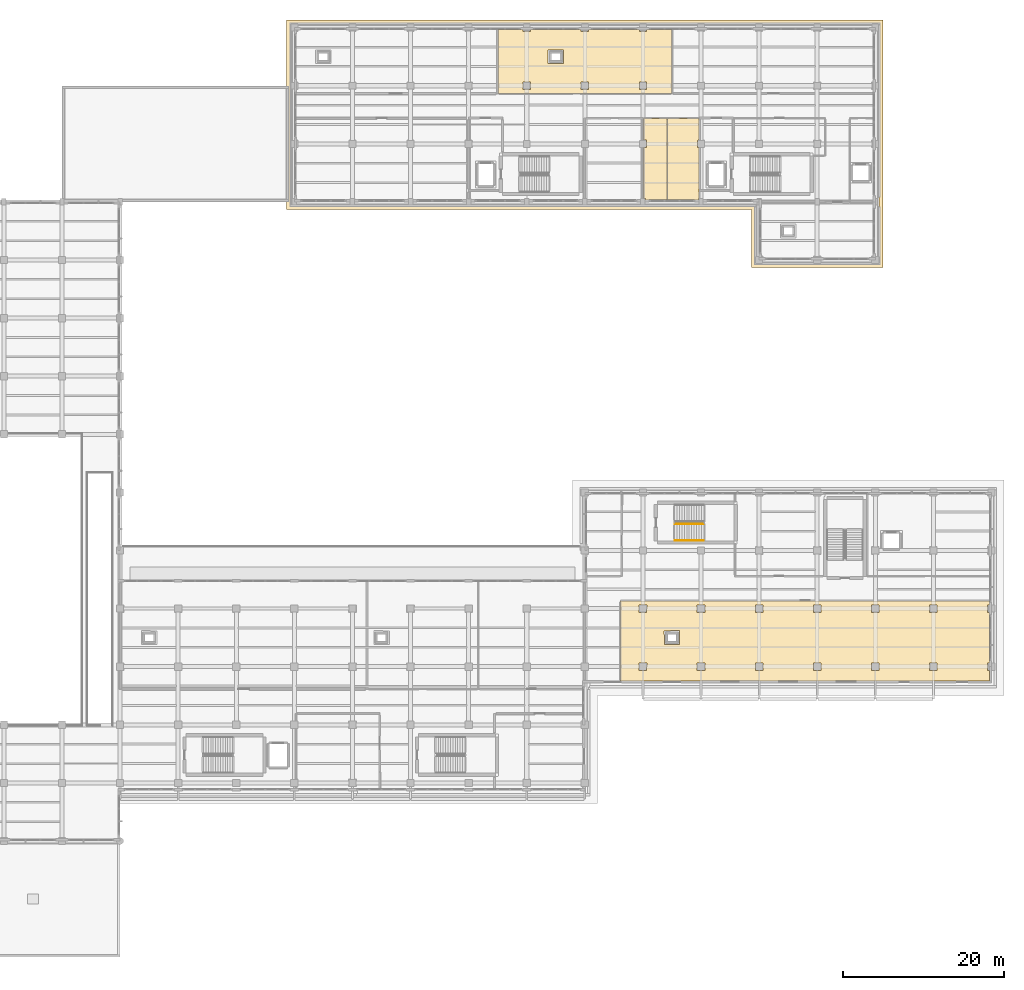
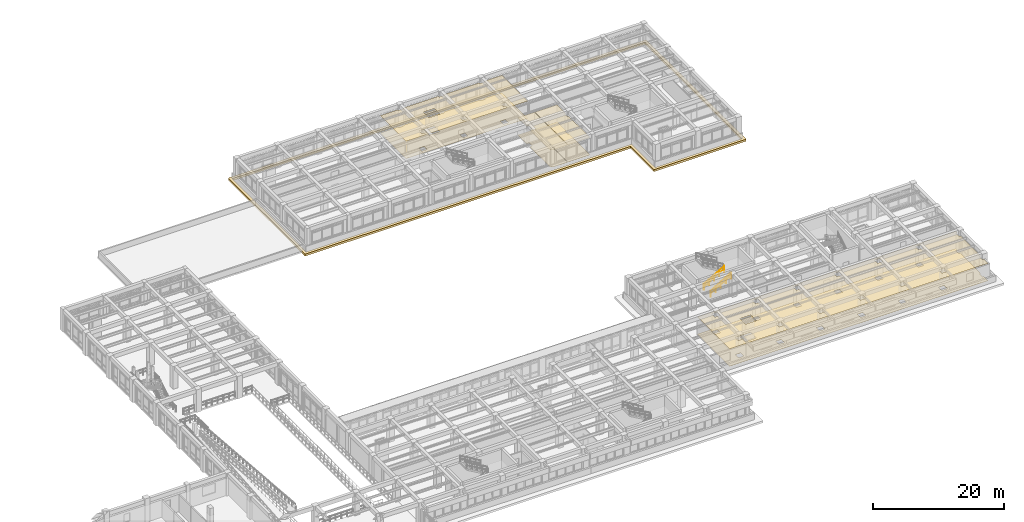
# One storey, part 67 of 69: 9 coverings, 2 railings.
"""IFC4 building model written with IfcOpenShell, lengths in metres."""

from ifc_helpers import new_model, si_unit, direction, frame, origin, origin_2d, place, context, subcontext, project, spatial, polyline, circle, outline, extrude, material, layer, layer_set, type_object, element, save


model = new_model("IFC4")

# Units and contexts
model_context = context("Model", 3, precision=1e-05, world=origin(), true_north=direction((0.0, 1.0)))
body_context = subcontext(model_context, "Body", "Model", "MODEL_VIEW")
ifc_project = project(units=[si_unit("LENGTHUNIT", "METRE"), si_unit("AREAUNIT", "SQUARE_METRE"), si_unit("VOLUMEUNIT", "CUBIC_METRE"), si_unit("PLANEANGLEUNIT", "RADIAN"), si_unit("MASSUNIT", "GRAM", prefix="KILO")], contexts=[model_context])

# Site, building, storey
site_placement = place(None, origin())
site = spatial("IfcSite", under=ifc_project, at=site_placement, CompositionType="ELEMENT")
building_placement = place(site_placement, origin())
building = spatial("IfcBuilding", under=site, at=building_placement, Name="Solenvale Faculty of Natural Sciences", CompositionType="ELEMENT")
storey_placement = place(building_placement, frame((0.0, 0.0, 4.5)))
storey = spatial("IfcBuildingStorey", under=building, at=storey_placement, Name="L01", CompositionType="ELEMENT", Elevation=4.5)

# Coverings
ifc_material_1 = material(Name="Acoustic mineral-timber ceiling", Category="wood")
ifc_layer_1 = layer(ifc_material_1, 0.02490234375)
ifc_layer_set_1 = layer_set([ifc_layer_1], Name="Acoustic mineral-timber ceiling")
covering_type_1 = type_object("IfcCoveringType", Name="COV-CEIL-AC25", PredefinedType="CEILING", material=ifc_layer_set_1)
covering_1_placement = place(storey_placement, frame((0.0, 0.0, 3.235107421875)))
element("IfcCovering", 1, at=covering_1_placement, inside=storey, type_object=covering_type_1, Name="L01 Faculty Staff Office Acoustic Ceiling", PredefinedType="CEILING", context=body_context, shape_type="SweptSolid", body=[
    extrude(outline(polyline([(107.52001953125, 114.9599609375), (107.549072265625, 114.93603515625), (107.550048828125, 114.759033203125), (107.56103515625, 114.75), (108.44189453125, 114.75), (108.450927734375, 114.93603515625), (108.47998046875, 114.9599609375), (114.719970703125, 114.9599609375), (114.7490234375, 114.93603515625), (114.75, 114.759033203125), (114.760986328125, 114.75), (115.64208984375, 114.75), (115.65087890625, 114.93603515625), (115.679931640625, 114.9599609375), (121.919921875, 114.9599609375), (121.948974609375, 114.93603515625), (121.949951171875, 114.759033203125), (121.9609375, 114.75), (122.842041015625, 114.75), (122.85107421875, 114.93603515625), (122.876953125, 114.9599609375), (125.9609375, 114.9580078125), (125.97998046875, 114.929931640625), (125.97802734375, 107.05908203125), (125.949951171875, 107.0400390625), (104.458984375, 107.0419921875), (104.43994140625, 107.070068359375), (104.44189453125, 114.94091796875), (104.469970703125, 114.9599609375), (107.52001953125, 114.9599609375)]), holes=[polyline([(122.85009765625, 108.43896484375), (122.839111328125, 108.449951171875), (121.952880859375, 108.447021484375), (121.952880859375, 107.552978515625), (122.846923828125, 107.552978515625), (122.85009765625, 108.43896484375)]), polyline([(115.64990234375, 108.43896484375), (115.638916015625, 108.449951171875), (114.7529296875, 108.447021484375), (114.7529296875, 107.552978515625), (115.64697265625, 107.552978515625), (115.64990234375, 108.43896484375)]), polyline([(112.531982421875, 110.739990234375), (112.552001953125, 110.75), (112.56005859375, 110.77001953125), (112.56005859375, 112.429931640625), (112.550048828125, 112.451904296875), (110.669921875, 112.4599609375), (110.64794921875, 112.449951171875), (110.639892578125, 110.77001953125), (110.64990234375, 110.748046875), (112.531982421875, 110.739990234375)]), polyline([(108.449951171875, 108.43896484375), (108.43896484375, 108.449951171875), (107.552978515625, 108.447021484375), (107.552978515625, 107.552978515625), (108.447021484375, 107.552978515625), (108.449951171875, 108.43896484375)])]), origin(), (0.0, 0.0, 1.0), 0.02490234375),
])
covering_2_placement = place(storey_placement, frame((0.0, 0.0, 3.235107421875)))
element("IfcCovering", 2, at=covering_2_placement, inside=storey, type_object=covering_type_1, Name="L01 Accessible Washroom Acoustic Ceiling", PredefinedType="CEILING", context=body_context, shape_type="SweptSolid", body=[
    extrude(outline(polyline([(125.35009765625, 103.9599609375), (125.37109375, 103.950927734375), (125.3798828125, 103.929931640625), (125.37890625, 93.861083984375), (125.35009765625, 93.840087890625), (122.720947265625, 93.841064453125), (122.699951171875, 93.866943359375), (122.696044921875, 94.02294921875), (122.467041015625, 94.02490234375), (122.43994140625, 94.054931640625), (122.43994140625, 100.320068359375), (122.467041015625, 100.35009765625), (122.84912109375, 100.35595703125), (122.85009765625, 101.239013671875), (122.839111328125, 101.25), (122.467041015625, 101.25), (122.44091796875, 101.27392578125), (122.44091796875, 103.93896484375), (122.469970703125, 103.9599609375), (125.35009765625, 103.9599609375)])), origin(), (0.0, 0.0, 1.0), 0.02490234375),
])
covering_3_placement = place(storey_placement, frame((0.0, 0.0, 3.235107421875)))
element("IfcCovering", 3, at=covering_3_placement, inside=storey, type_object=covering_type_1, Name="L01 Instrument Preparation Room Acoustic Ceiling", PredefinedType="CEILING", context=body_context, shape_type="SweptSolid", body=[
    extrude(outline(polyline([(129.330078125, 103.9599609375), (129.35107421875, 103.950927734375), (129.360107421875, 103.929931640625), (129.360107421875, 101.277099609375), (129.3359375, 101.2509765625), (129.14990234375, 101.241943359375), (129.14990234375, 100.361083984375), (129.158935546875, 100.35009765625), (129.3359375, 100.34912109375), (129.360107421875, 100.320068359375), (129.360107421875, 95.0), (129.3798828125, 94.950927734375), (129.3779296875, 94.0439453125), (129.35888671875, 94.02587890625), (129.301025390625, 94.02001953125), (129.299072265625, 93.864013671875), (129.27294921875, 93.840087890625), (125.458984375, 93.842041015625), (125.43994140625, 93.8701171875), (125.44189453125, 103.94091796875), (125.469970703125, 103.9599609375), (129.330078125, 103.9599609375)])), origin(), (0.0, 0.0, 1.0), 0.02490234375),
])
ifc_material_2 = material(Name="Oak slatted acoustic timber ceiling", Category="wood")
ifc_layer_2 = layer(ifc_material_2, 0.034912109375)
ifc_layer_set_2 = layer_set([ifc_layer_2], Name="Oak slatted acoustic timber ceiling")
covering_type_2 = type_object("IfcCoveringType", Name="COV-CEIL-WD35", PredefinedType="CEILING", material=ifc_layer_set_2)
covering_4_placement = place(storey_placement, frame((0.0, 0.0, 3.22509765625)))
element("IfcCovering", 4, at=covering_4_placement, inside=storey, type_object=covering_type_2, Name="L01 Learning Commons South Reading Hall Acoustic Ceiling", PredefinedType="CEILING", context=body_context, shape_type="SweptSolid", body=[
    extrude(outline(polyline([(165.360107421875, 43.705078125), (165.3359375, 43.676025390625), (165.134033203125, 43.675048828125), (165.125, 43.6640625), (165.125, 42.73291015625), (165.3359375, 42.72412109375), (165.360107421875, 42.695068359375), (165.360107421875, 36.5048828125), (165.3359375, 36.47607421875), (165.134033203125, 36.47509765625), (165.125, 36.464111328125), (165.125, 35.532958984375), (165.3359375, 35.52392578125), (165.360107421875, 35.498046875), (165.360107421875, 34.27001953125), (165.3359375, 34.240966796875), (119.669921875, 34.239990234375), (119.64111328125, 34.263916015625), (119.639892578125, 44.1298828125), (119.6640625, 44.158935546875), (165.330078125, 44.159912109375), (165.360107421875, 44.133056640625), (165.360107421875, 43.705078125)]), holes=[polyline([(158.875, 36.464111328125), (158.864013671875, 36.47509765625), (157.927978515625, 36.471923828125), (157.927978515625, 35.528076171875), (158.8720703125, 35.528076171875), (158.875, 36.464111328125)]), polyline([(158.875, 43.6640625), (158.864013671875, 43.675048828125), (157.927978515625, 43.672119140625), (157.927978515625, 42.72802734375), (158.8720703125, 42.72802734375), (158.875, 43.6640625)]), polyline([(150.736083984375, 43.675048828125), (150.72509765625, 43.6640625), (150.72802734375, 42.72802734375), (151.672119140625, 42.72802734375), (151.672119140625, 43.672119140625), (150.736083984375, 43.675048828125)]), polyline([(151.675048828125, 36.464111328125), (151.6640625, 36.47509765625), (150.72802734375, 36.471923828125), (150.72802734375, 35.528076171875), (151.672119140625, 35.528076171875), (151.675048828125, 36.464111328125)]), polyline([(143.535888671875, 43.675048828125), (143.52490234375, 43.6640625), (143.528076171875, 42.72802734375), (144.471923828125, 42.72802734375), (144.471923828125, 43.672119140625), (143.535888671875, 43.675048828125)]), polyline([(144.47509765625, 36.464111328125), (144.464111328125, 36.47509765625), (143.528076171875, 36.471923828125), (143.528076171875, 35.528076171875), (144.471923828125, 35.528076171875), (144.47509765625, 36.464111328125)]), polyline([(136.3359375, 43.675048828125), (136.324951171875, 43.6640625), (136.327880859375, 42.72802734375), (137.27197265625, 42.72802734375), (137.27197265625, 43.672119140625), (136.3359375, 43.675048828125)]), polyline([(137.27490234375, 36.464111328125), (137.263916015625, 36.47509765625), (136.327880859375, 36.471923828125), (136.327880859375, 35.528076171875), (137.27197265625, 35.528076171875), (137.27490234375, 36.464111328125)]), polyline([(129.135986328125, 36.47509765625), (129.125, 36.464111328125), (129.1279296875, 35.528076171875), (130.072021484375, 35.528076171875), (130.072021484375, 36.471923828125), (129.135986328125, 36.47509765625)]), polyline([(129.135986328125, 43.675048828125), (129.125, 43.6640625), (129.1279296875, 42.72802734375), (130.072021484375, 42.72802734375), (130.072021484375, 43.672119140625), (129.135986328125, 43.675048828125)]), polyline([(126.9599609375, 40.431884765625), (126.949951171875, 40.451904296875), (126.929931640625, 40.4599609375), (125.050048828125, 40.451904296875), (125.0400390625, 40.429931640625), (125.048095703125, 38.75), (125.070068359375, 38.739990234375), (126.949951171875, 38.748046875), (126.9599609375, 38.77001953125), (126.9599609375, 40.431884765625)]), polyline([(122.875, 36.464111328125), (122.864013671875, 36.47509765625), (121.927978515625, 36.471923828125), (121.927978515625, 35.528076171875), (122.8720703125, 35.528076171875), (122.875, 36.464111328125)]), polyline([(122.875, 43.6640625), (122.864013671875, 43.675048828125), (121.927978515625, 43.672119140625), (121.927978515625, 42.72802734375), (122.8720703125, 42.72802734375), (122.875, 43.6640625)])]), origin(), (0.0, 0.0, 1.0), 0.034912109375),
])
ifc_material_3 = material(Name="Polished slate terrazzo flooring", Category="masonry")
ifc_layer_3 = layer(ifc_material_3, 0.01806640625)
ifc_layer_set_3 = layer_set([ifc_layer_3], Name="Polished slate terrazzo flooring")
covering_type_3 = type_object("IfcCoveringType", Name="COV-FLR-TRZ18", PredefinedType="FLOORING", material=ifc_layer_set_3)
covering_5_placement = place(storey_placement, origin())
element("IfcCovering", 5, at=covering_5_placement, inside=storey, type_object=covering_type_3, Name="L01 Learning Commons South Reading Hall Floor Finish", PredefinedType="FLOORING", context=body_context, shape_type="SweptSolid", body=[
    extrude(outline(polyline([(165.360107421875, 43.705078125), (165.3359375, 43.676025390625), (165.134033203125, 43.675048828125), (165.125, 43.6640625), (165.125, 42.73291015625), (165.3359375, 42.72412109375), (165.360107421875, 42.695068359375), (165.360107421875, 36.5048828125), (165.3359375, 36.47607421875), (165.134033203125, 36.47509765625), (165.125, 36.464111328125), (165.125, 35.532958984375), (165.3359375, 35.52392578125), (165.360107421875, 35.498046875), (165.360107421875, 34.27001953125), (165.3359375, 34.240966796875), (119.669921875, 34.239990234375), (119.64111328125, 34.263916015625), (119.639892578125, 44.1298828125), (119.6640625, 44.158935546875), (165.330078125, 44.159912109375), (165.360107421875, 44.133056640625), (165.360107421875, 43.705078125)]), holes=[polyline([(158.875, 36.464111328125), (158.864013671875, 36.47509765625), (157.927978515625, 36.471923828125), (157.927978515625, 35.528076171875), (158.8720703125, 35.528076171875), (158.875, 36.464111328125)]), polyline([(158.875, 43.6640625), (158.864013671875, 43.675048828125), (157.927978515625, 43.672119140625), (157.927978515625, 42.72802734375), (158.8720703125, 42.72802734375), (158.875, 43.6640625)]), polyline([(150.736083984375, 43.675048828125), (150.72509765625, 43.6640625), (150.72802734375, 42.72802734375), (151.672119140625, 42.72802734375), (151.672119140625, 43.672119140625), (150.736083984375, 43.675048828125)]), polyline([(151.675048828125, 36.464111328125), (151.6640625, 36.47509765625), (150.72802734375, 36.471923828125), (150.72802734375, 35.528076171875), (151.672119140625, 35.528076171875), (151.675048828125, 36.464111328125)]), polyline([(143.535888671875, 43.675048828125), (143.52490234375, 43.6640625), (143.528076171875, 42.72802734375), (144.471923828125, 42.72802734375), (144.471923828125, 43.672119140625), (143.535888671875, 43.675048828125)]), polyline([(144.47509765625, 36.464111328125), (144.464111328125, 36.47509765625), (143.528076171875, 36.471923828125), (143.528076171875, 35.528076171875), (144.471923828125, 35.528076171875), (144.47509765625, 36.464111328125)]), polyline([(136.3359375, 43.675048828125), (136.324951171875, 43.6640625), (136.327880859375, 42.72802734375), (137.27197265625, 42.72802734375), (137.27197265625, 43.672119140625), (136.3359375, 43.675048828125)]), polyline([(137.27490234375, 36.464111328125), (137.263916015625, 36.47509765625), (136.327880859375, 36.471923828125), (136.327880859375, 35.528076171875), (137.27197265625, 35.528076171875), (137.27490234375, 36.464111328125)]), polyline([(129.135986328125, 36.47509765625), (129.125, 36.464111328125), (129.1279296875, 35.528076171875), (130.072021484375, 35.528076171875), (130.072021484375, 36.471923828125), (129.135986328125, 36.47509765625)]), polyline([(129.135986328125, 43.675048828125), (129.125, 43.6640625), (129.1279296875, 42.72802734375), (130.072021484375, 42.72802734375), (130.072021484375, 43.672119140625), (129.135986328125, 43.675048828125)]), polyline([(126.9599609375, 40.431884765625), (126.949951171875, 40.451904296875), (126.929931640625, 40.4599609375), (125.050048828125, 40.451904296875), (125.0400390625, 40.429931640625), (125.048095703125, 38.75), (125.070068359375, 38.739990234375), (126.949951171875, 38.748046875), (126.9599609375, 38.77001953125), (126.9599609375, 40.431884765625)]), polyline([(122.875, 36.464111328125), (122.864013671875, 36.47509765625), (121.927978515625, 36.471923828125), (121.927978515625, 35.528076171875), (122.8720703125, 35.528076171875), (122.875, 36.464111328125)]), polyline([(122.875, 43.6640625), (122.864013671875, 43.675048828125), (121.927978515625, 43.672119140625), (121.927978515625, 42.72802734375), (122.8720703125, 42.72802734375), (122.875, 43.6640625)])]), origin(), (0.0, 0.0, 1.0), 0.01806640625),
])
covering_6_placement = place(storey_placement, origin())
element("IfcCovering", 6, at=covering_6_placement, inside=storey, type_object=covering_type_3, Name="L01 Faculty Staff Office Floor Finish", PredefinedType="FLOORING", context=body_context, shape_type="SweptSolid", body=[
    extrude(outline(polyline([(107.52001953125, 114.9599609375), (107.549072265625, 114.93603515625), (107.550048828125, 114.759033203125), (107.56103515625, 114.75), (108.44189453125, 114.75), (108.450927734375, 114.93603515625), (108.47998046875, 114.9599609375), (114.719970703125, 114.9599609375), (114.7490234375, 114.93603515625), (114.75, 114.759033203125), (114.760986328125, 114.75), (115.64208984375, 114.75), (115.65087890625, 114.93603515625), (115.679931640625, 114.9599609375), (121.919921875, 114.9599609375), (121.948974609375, 114.93603515625), (121.949951171875, 114.759033203125), (121.9609375, 114.75), (122.842041015625, 114.75), (122.85107421875, 114.93603515625), (122.876953125, 114.9599609375), (125.9609375, 114.9580078125), (125.97998046875, 114.929931640625), (125.97802734375, 107.05908203125), (125.949951171875, 107.0400390625), (104.458984375, 107.0419921875), (104.43994140625, 107.070068359375), (104.44189453125, 114.94091796875), (104.469970703125, 114.9599609375), (107.52001953125, 114.9599609375)]), holes=[polyline([(122.85009765625, 108.43896484375), (122.839111328125, 108.449951171875), (121.952880859375, 108.447021484375), (121.952880859375, 107.552978515625), (122.846923828125, 107.552978515625), (122.85009765625, 108.43896484375)]), polyline([(115.64990234375, 108.43896484375), (115.638916015625, 108.449951171875), (114.7529296875, 108.447021484375), (114.7529296875, 107.552978515625), (115.64697265625, 107.552978515625), (115.64990234375, 108.43896484375)]), polyline([(112.531982421875, 110.739990234375), (112.552001953125, 110.75), (112.56005859375, 110.77001953125), (112.56005859375, 112.429931640625), (112.550048828125, 112.451904296875), (110.669921875, 112.4599609375), (110.64794921875, 112.449951171875), (110.639892578125, 110.77001953125), (110.64990234375, 110.748046875), (112.531982421875, 110.739990234375)]), polyline([(108.449951171875, 108.43896484375), (108.43896484375, 108.449951171875), (107.552978515625, 108.447021484375), (107.552978515625, 107.552978515625), (108.447021484375, 107.552978515625), (108.449951171875, 108.43896484375)])]), origin(), (0.0, 0.0, 1.0), 0.01806640625),
])
covering_7_placement = place(storey_placement, origin())
element("IfcCovering", 7, at=covering_7_placement, inside=storey, type_object=covering_type_3, Name="L01 Accessible Washroom Floor Finish", PredefinedType="FLOORING", context=body_context, shape_type="SweptSolid", body=[
    extrude(outline(polyline([(125.35009765625, 103.9599609375), (125.37109375, 103.950927734375), (125.3798828125, 103.929931640625), (125.37890625, 93.861083984375), (125.35009765625, 93.840087890625), (122.720947265625, 93.841064453125), (122.699951171875, 93.866943359375), (122.696044921875, 94.02294921875), (122.467041015625, 94.02490234375), (122.43994140625, 94.054931640625), (122.43994140625, 100.320068359375), (122.467041015625, 100.35009765625), (122.84912109375, 100.35595703125), (122.85009765625, 101.239013671875), (122.839111328125, 101.25), (122.467041015625, 101.25), (122.44091796875, 101.27392578125), (122.44091796875, 103.93896484375), (122.469970703125, 103.9599609375), (125.35009765625, 103.9599609375)])), origin(), (0.0, 0.0, 1.0), 0.01806640625),
])
covering_8_placement = place(storey_placement, origin())
element("IfcCovering", 8, at=covering_8_placement, inside=storey, type_object=covering_type_3, Name="L01 Instrument Preparation Room Floor Finish", PredefinedType="FLOORING", context=body_context, shape_type="SweptSolid", body=[
    extrude(outline(polyline([(129.330078125, 103.9599609375), (129.35107421875, 103.950927734375), (129.360107421875, 103.929931640625), (129.360107421875, 101.277099609375), (129.3359375, 101.2509765625), (129.14990234375, 101.241943359375), (129.14990234375, 100.361083984375), (129.158935546875, 100.35009765625), (129.3359375, 100.34912109375), (129.360107421875, 100.320068359375), (129.360107421875, 95.0), (129.3798828125, 94.950927734375), (129.3779296875, 94.0439453125), (129.35888671875, 94.02587890625), (129.301025390625, 94.02001953125), (129.299072265625, 93.864013671875), (129.27294921875, 93.840087890625), (125.458984375, 93.842041015625), (125.43994140625, 93.8701171875), (125.44189453125, 103.94091796875), (125.469970703125, 103.9599609375), (129.330078125, 103.9599609375)])), origin(), (0.0, 0.0, 1.0), 0.01806640625),
])
ifc_material_4 = material(Name="Insulated EPDM roofing membrane")
ifc_layer_4 = layer(ifc_material_4, 0.06494140625)
ifc_layer_set_4 = layer_set([ifc_layer_4], Name="Insulated EPDM roofing membrane")
covering_type_4 = type_object("IfcCoveringType", Name="COV-ROOF-MEMB", PredefinedType="ROOFING", material=ifc_layer_set_4)
covering_9_placement = place(storey_placement, frame((0.0, 0.0, -0.340087890625)))
element("IfcCovering", 9, at=covering_9_placement, inside=storey, type_object=covering_type_4, Name="L01 Projecting Horizontal Bronze Concrete Tray Ledge 2", PredefinedType="CLADDING", context=body_context, shape_type="SweptSolid", body=[
    extrude(outline(polyline([(78.25, 116.1298828125), (78.256103515625, 116.14404296875), (78.27001953125, 116.14990234375), (152.137939453125, 116.14794921875), (152.14990234375, 116.1298828125), (152.14794921875, 85.4619140625), (152.1298828125, 85.449951171875), (135.862060546875, 85.451904296875), (135.85009765625, 85.469970703125), (135.85009765625, 92.64990234375), (78.261962890625, 92.652099609375), (78.25, 92.669921875), (78.25, 116.1298828125)]), holes=[polyline([(78.719970703125, 93.1201171875), (136.302001953125, 93.1201171875), (136.31396484375, 93.114013671875), (136.320068359375, 93.10009765625), (136.320068359375, 85.919921875), (151.679931640625, 85.919921875), (151.679931640625, 115.679931640625), (78.719970703125, 115.679931640625), (78.719970703125, 93.1201171875)])]), origin(), (0.0, 0.0, 1.0), 0.380126953125),
])

# Railings
ifc_material_5 = material(Name="Stainless steel Grade 304", Category="steel")
railing_type_1 = type_object("IfcRailingType", Name="RL-GRD-1100", PredefinedType="GUARDRAIL", material=ifc_material_5)
railing_1_placement = place(storey_placement, frame((126.340087890625, 53.699951171875, 0.173095703125)))
element("IfcRailing", 10, at=railing_1_placement, inside=storey, type_object=railing_type_1, Name="L01 ST-08 stair guard 1", PredefinedType="GUARDRAIL", context=body_context, shape_type="SweptSolid", body=[
    extrude(circle(Radius=0.02392578125, at=origin_2d()), frame((0.0, 0.0, 1.09619140625), z_axis=(0.866178740119, 0.0, 0.499734319579), x_axis=(0.0, 1.0, 0.0)), (0.0, 0.0, 1.0), 4.156005859375),
    extrude(circle(Radius=0.01611328125, at=origin_2d()), frame((0.0, 0.0, 0.56005859375), z_axis=(0.866178740119, 0.0, 0.499734319579), x_axis=(0.0, 1.0, 0.0)), (0.0, 0.0, 1.0), 4.156005859375),
    extrude(circle(Radius=0.02099609375, at=origin_2d()), origin(), (0.0, 0.0, 1.0), 1.072021484375),
    extrude(circle(Radius=0.02099609375, at=origin_2d()), frame((0.89990234375, 0.0, 0.519287109375)), (0.0, 0.0, 1.0), 1.072021484375),
    extrude(circle(Radius=0.02099609375, at=origin_2d()), frame((1.7998046875, 0.0, 1.03857421875)), (0.0, 0.0, 1.0), 1.072021484375),
    extrude(circle(Radius=0.02099609375, at=origin_2d()), frame((2.699951171875, 0.0, 1.5576171875)), (0.0, 0.0, 1.0), 1.072021484375),
    extrude(circle(Radius=0.02099609375, at=origin_2d()), frame((3.599853515625, 0.0, 2.076904296875)), (0.0, 0.0, 1.0), 1.072021484375),
])
railing_type_2 = type_object("IfcRailingType", Name="RL-HND-900", PredefinedType="HANDRAIL", material=ifc_material_5)
railing_2_placement = place(storey_placement, frame((126.340087890625, 51.64990234375, 0.173095703125)))
element("IfcRailing", 11, at=railing_2_placement, inside=storey, type_object=railing_type_2, Name="L01 ST-08 stair handrail 1", PredefinedType="HANDRAIL", context=body_context, shape_type="SweptSolid", body=[
    extrude(circle(Radius=0.02392578125, at=origin_2d()), frame((0.0, 0.0, 1.0732421875), z_axis=(0.866178740119, 0.0, 0.499734319579), x_axis=(0.0, 1.0, 0.0)), (0.0, 0.0, 1.0), 4.156005859375),
    extrude(circle(Radius=0.01611328125, at=origin_2d()), frame((0.0, 0.0, 0.548583984375), z_axis=(0.866178740119, 0.0, 0.499734319579), x_axis=(0.0, 1.0, 0.0)), (0.0, 0.0, 1.0), 4.156005859375),
    extrude(circle(Radius=0.02099609375, at=origin_2d()), origin(), (0.0, 0.0, 1.0), 1.049072265625),
    extrude(circle(Radius=0.02099609375, at=origin_2d()), frame((0.89990234375, 0.0, 0.519287109375)), (0.0, 0.0, 1.0), 1.049072265625),
    extrude(circle(Radius=0.02099609375, at=origin_2d()), frame((1.7998046875, 0.0, 1.03857421875)), (0.0, 0.0, 1.0), 1.049072265625),
    extrude(circle(Radius=0.02099609375, at=origin_2d()), frame((2.699951171875, 0.0, 1.5576171875)), (0.0, 0.0, 1.0), 1.049072265625),
    extrude(circle(Radius=0.02099609375, at=origin_2d()), frame((3.599853515625, 0.0, 2.076904296875)), (0.0, 0.0, 1.0), 1.049072265625),
])

save(model, "model.ifc")
